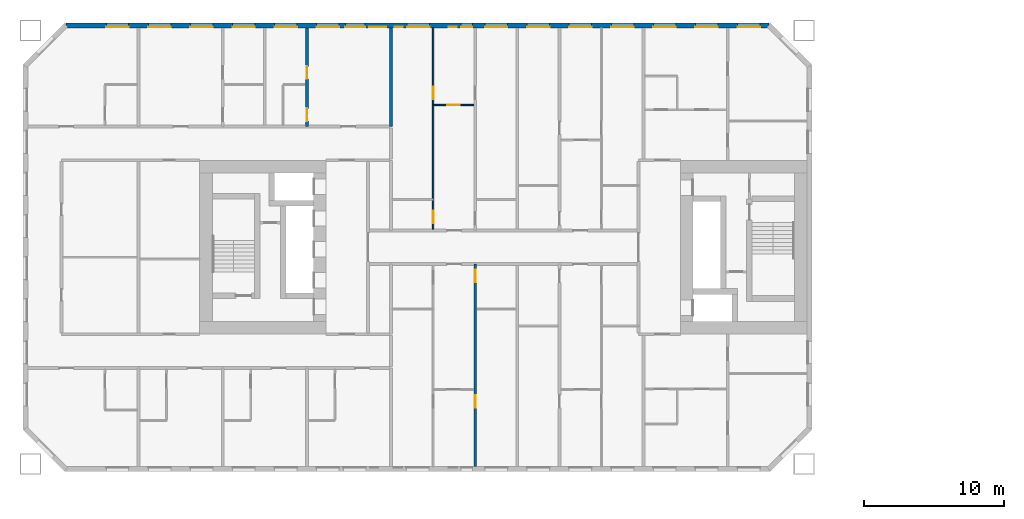
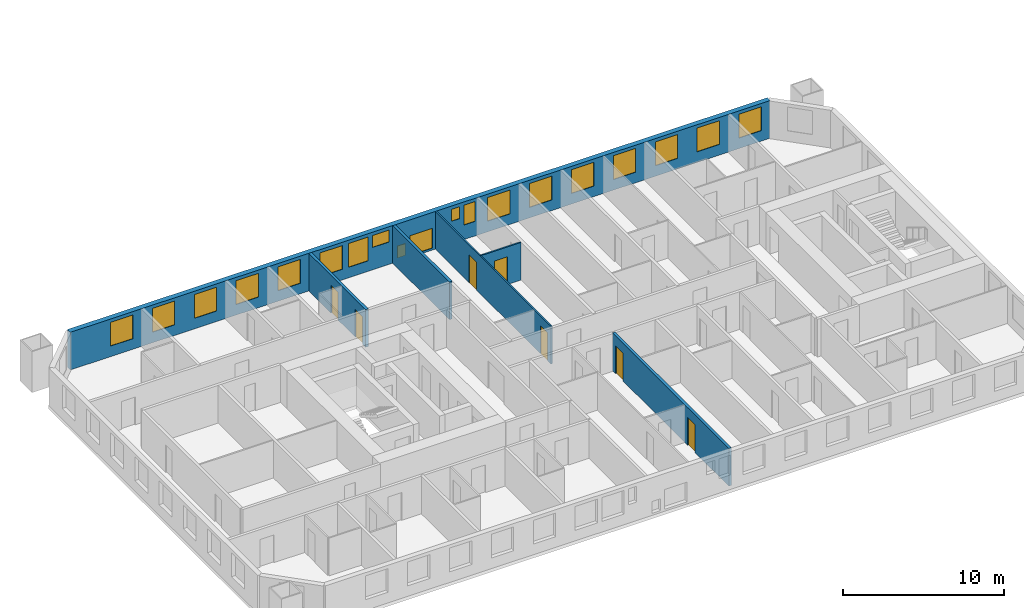
# One storey, part 5 of 16: 19 windows, 7 doors, 6 walls, 26 openings.
"""IFC4 building model written with IfcOpenShell, lengths in metres."""

from ifc_helpers import new_model, si_unit, direction, frame, frame_2d, origin, place, context, subcontext, project, spatial, rectangle, extrude, material, layer, layer_set, type_object, element, fill, save


model = new_model("IFC4")

# Units and contexts
model_context = context("Model", 3, precision=1e-05, world=origin(), true_north=direction((0.0, 1.0)))
body_context = subcontext(model_context, "Body", "Model", "MODEL_VIEW")
ifc_project = project(units=[si_unit("LENGTHUNIT", "METRE"), si_unit("AREAUNIT", "SQUARE_METRE"), si_unit("VOLUMEUNIT", "CUBIC_METRE"), si_unit("PLANEANGLEUNIT", "RADIAN"), si_unit("MASSUNIT", "GRAM", prefix="KILO")], contexts=[model_context])

# Site, building, storey
site_placement = place(None, origin())
site = spatial("IfcSite", under=ifc_project, at=site_placement, CompositionType="ELEMENT")
building_placement = place(site_placement, origin())
building = spatial("IfcBuilding", under=site, at=building_placement, Name="Tuart Gate Housing", CompositionType="ELEMENT")
storey_placement = place(building_placement, frame((0.0, 0.0, 35.0)))
storey = spatial("IfcBuildingStorey", under=building, at=storey_placement, Name="L09", CompositionType="ELEMENT", Elevation=35.0)

# Wall, openings, windows
ifc_material_1 = material(Name="Brick", Category="masonry")
ifc_layer_1 = layer(ifc_material_1, 0.360107421875)
ifc_layer_set_1 = layer_set([ifc_layer_1], Name="Brick pier and spandrel wall 360")
wall_type_1 = type_object("IfcWallType", Name="Brick pier and spandrel wall 360", PredefinedType="STANDARD", material=ifc_layer_set_1)
wall_1_placement = place(storey_placement, frame((72.92529296875, 85.820068359375, 0.0), z_axis=(0.0, 0.0, 1.0), x_axis=(-1.0, 0.0, 0.0)))
wall_1 = element("IfcWall", 1, at=wall_1_placement, inside=storey, type_object=wall_type_1, Name="External wall A-N L09", PredefinedType="STANDARD", context=body_context, shape_type="SweptSolid", body=[
    extrude(rectangle(XDim=50.100830078125, YDim=0.360107421875, at=frame_2d((25.05029296875, 0.0))), origin(), (0.0, 0.0, 1.0), 2.85009765625),
])
opening_1_placement = place(wall_1_placement, frame((0.62548828125, 0.0, 0.800048828125)))
opening_1 = element("IfcOpeningElement", 2, at=opening_1_placement, cuts=wall_1, Name="Opening W1", PredefinedType="OPENING", context=body_context, shape_type="SweptSolid", body=[
    extrude(rectangle(XDim=1.60009765625, YDim=1.800048828125, at=frame_2d((0.800048828125, 0.89990234375))), frame((0.0, 0.18994140625, 0.0), z_axis=(0.0, -1.0, 0.0), x_axis=(1.0, 0.0, 0.0)), (0.0, 0.0, 1.0), 0.380126953125),
])
opening_2_placement = place(wall_1_placement, frame((3.62548828125, 0.0, 0.800048828125)))
opening_2 = element("IfcOpeningElement", 3, at=opening_2_placement, cuts=wall_1, Name="Opening W1", PredefinedType="OPENING", context=body_context, shape_type="SweptSolid", body=[
    extrude(rectangle(XDim=1.60009765625, YDim=1.800048828125, at=frame_2d((0.800048828125, 0.89990234375))), frame((0.0, 0.18994140625, 0.0), z_axis=(0.0, -1.0, 0.0), x_axis=(1.0, 0.0, 0.0)), (0.0, 0.0, 1.0), 0.380126953125),
])
opening_3_placement = place(wall_1_placement, frame((6.62548828125, 0.0, 0.800048828125)))
opening_3 = element("IfcOpeningElement", 4, at=opening_3_placement, cuts=wall_1, Name="Opening W1", PredefinedType="OPENING", context=body_context, shape_type="SweptSolid", body=[
    extrude(rectangle(XDim=1.60009765625, YDim=1.800048828125, at=frame_2d((0.800048828125, 0.89990234375))), frame((0.0, 0.18994140625, 0.0), z_axis=(0.0, -1.0, 0.0), x_axis=(1.0, 0.0, 0.0)), (0.0, 0.0, 1.0), 0.380126953125),
])
opening_4_placement = place(wall_1_placement, frame((9.62548828125, 0.0, 0.800048828125)))
opening_4 = element("IfcOpeningElement", 5, at=opening_4_placement, cuts=wall_1, Name="Opening W1", PredefinedType="OPENING", context=body_context, shape_type="SweptSolid", body=[
    extrude(rectangle(XDim=1.60009765625, YDim=1.800048828125, at=frame_2d((0.800048828125, 0.89990234375))), frame((0.0, 0.18994140625, 0.0), z_axis=(0.0, -1.0, 0.0), x_axis=(1.0, 0.0, 0.0)), (0.0, 0.0, 1.0), 0.380126953125),
])
opening_5_placement = place(wall_1_placement, frame((12.62548828125, 0.0, 0.800048828125)))
opening_5 = element("IfcOpeningElement", 6, at=opening_5_placement, cuts=wall_1, Name="Opening W1", PredefinedType="OPENING", context=body_context, shape_type="SweptSolid", body=[
    extrude(rectangle(XDim=1.60009765625, YDim=1.800048828125, at=frame_2d((0.800048828125, 0.89990234375))), frame((0.0, 0.18994140625, 0.0), z_axis=(0.0, -1.0, 0.0), x_axis=(1.0, 0.0, 0.0)), (0.0, 0.0, 1.0), 0.380126953125),
])
opening_6_placement = place(wall_1_placement, frame((15.62548828125, 0.0, 0.800048828125)))
opening_6 = element("IfcOpeningElement", 7, at=opening_6_placement, cuts=wall_1, Name="Opening W1", PredefinedType="OPENING", context=body_context, shape_type="SweptSolid", body=[
    extrude(rectangle(XDim=1.60009765625, YDim=1.800048828125, at=frame_2d((0.800048828125, 0.89990234375))), frame((0.0, 0.18994140625, 0.0), z_axis=(0.0, -1.0, 0.0), x_axis=(1.0, 0.0, 0.0)), (0.0, 0.0, 1.0), 0.380126953125),
])
opening_7_placement = place(wall_1_placement, frame((18.62548828125, 0.0, 0.800048828125)))
opening_7 = element("IfcOpeningElement", 8, at=opening_7_placement, cuts=wall_1, Name="Opening W1", PredefinedType="OPENING", context=body_context, shape_type="SweptSolid", body=[
    extrude(rectangle(XDim=1.60009765625, YDim=1.800048828125, at=frame_2d((0.800048828125, 0.89990234375))), frame((0.0, 0.18994140625, 0.0), z_axis=(0.0, -1.0, 0.0), x_axis=(1.0, 0.0, 0.0)), (0.0, 0.0, 1.0), 0.380126953125),
])
opening_8_placement = place(wall_1_placement, frame((21.12548828125, 0.0, 1.10009765625)))
opening_8 = element("IfcOpeningElement", 9, at=opening_8_placement, cuts=wall_1, Name="Opening W1J", PredefinedType="OPENING", context=body_context, shape_type="SweptSolid", body=[
    extrude(rectangle(XDim=0.800048828125, YDim=1.5, at=frame_2d((0.39990234375, 0.75))), frame((0.0, 0.18994140625, 0.0), z_axis=(0.0, -1.0, 0.0), x_axis=(1.0, 0.0, 0.0)), (0.0, 0.0, 1.0), 0.380126953125),
])
opening_9_placement = place(wall_1_placement, frame((24.17529296875, 0.0, 0.14990234375)))
opening_9 = element("IfcOpeningElement", 10, at=opening_9_placement, cuts=wall_1, Name="Opening W1F", PredefinedType="OPENING", context=body_context, shape_type="SweptSolid", body=[
    extrude(rectangle(XDim=1.60009765625, YDim=1.5, at=frame_2d((0.800048828125, 0.75))), frame((0.0, 0.18994140625, 0.0), z_axis=(0.0, -1.0, 0.0), x_axis=(1.0, 0.0, 0.0)), (0.0, 0.0, 1.0), 0.380126953125),
])
opening_10_placement = place(wall_1_placement, frame((27.275390625, 0.0, 1.699951171875)))
opening_10 = element("IfcOpeningElement", 11, at=opening_10_placement, cuts=wall_1, Name="Opening W1T", PredefinedType="OPENING", context=body_context, shape_type="SweptSolid", body=[
    extrude(rectangle(XDim=1.199951171875, YDim=0.89990234375, at=frame_2d((0.60009765625, 0.449951171875))), frame((0.0, 0.18994140625, 0.0), z_axis=(0.0, -1.0, 0.0), x_axis=(1.0, 0.0, 0.0)), (0.0, 0.0, 1.0), 0.380126953125),
])
opening_11_placement = place(wall_1_placement, frame((30.62548828125, 0.0, 0.800048828125)))
opening_11 = element("IfcOpeningElement", 12, at=opening_11_placement, cuts=wall_1, Name="Opening W1", PredefinedType="OPENING", context=body_context, shape_type="SweptSolid", body=[
    extrude(rectangle(XDim=1.60009765625, YDim=1.800048828125, at=frame_2d((0.800048828125, 0.89990234375))), frame((0.0, 0.18994140625, 0.0), z_axis=(0.0, -1.0, 0.0), x_axis=(1.0, 0.0, 0.0)), (0.0, 0.0, 1.0), 0.380126953125),
])
opening_12_placement = place(wall_1_placement, frame((33.62548828125, 0.0, 0.800048828125)))
opening_12 = element("IfcOpeningElement", 13, at=opening_12_placement, cuts=wall_1, Name="Opening W1", PredefinedType="OPENING", context=body_context, shape_type="SweptSolid", body=[
    extrude(rectangle(XDim=1.60009765625, YDim=1.800048828125, at=frame_2d((0.800048828125, 0.89990234375))), frame((0.0, 0.18994140625, 0.0), z_axis=(0.0, -1.0, 0.0), x_axis=(1.0, 0.0, 0.0)), (0.0, 0.0, 1.0), 0.380126953125),
])
opening_13_placement = place(wall_1_placement, frame((36.62548828125, 0.0, 0.800048828125)))
opening_13 = element("IfcOpeningElement", 14, at=opening_13_placement, cuts=wall_1, Name="Opening W1", PredefinedType="OPENING", context=body_context, shape_type="SweptSolid", body=[
    extrude(rectangle(XDim=1.60009765625, YDim=1.800048828125, at=frame_2d((0.800048828125, 0.89990234375))), frame((0.0, 0.18994140625, 0.0), z_axis=(0.0, -1.0, 0.0), x_axis=(1.0, 0.0, 0.0)), (0.0, 0.0, 1.0), 0.380126953125),
])
opening_14_placement = place(wall_1_placement, frame((39.62548828125, 0.0, 0.800048828125)))
opening_14 = element("IfcOpeningElement", 15, at=opening_14_placement, cuts=wall_1, Name="Opening W1", PredefinedType="OPENING", context=body_context, shape_type="SweptSolid", body=[
    extrude(rectangle(XDim=1.60009765625, YDim=1.800048828125, at=frame_2d((0.800048828125, 0.89990234375))), frame((0.0, 0.18994140625, 0.0), z_axis=(0.0, -1.0, 0.0), x_axis=(1.0, 0.0, 0.0)), (0.0, 0.0, 1.0), 0.380126953125),
])
opening_15_placement = place(wall_1_placement, frame((42.62548828125, 0.0, 0.800048828125)))
opening_15 = element("IfcOpeningElement", 16, at=opening_15_placement, cuts=wall_1, Name="Opening W1", PredefinedType="OPENING", context=body_context, shape_type="SweptSolid", body=[
    extrude(rectangle(XDim=1.60009765625, YDim=1.800048828125, at=frame_2d((0.800048828125, 0.89990234375))), frame((0.0, 0.18994140625, 0.0), z_axis=(0.0, -1.0, 0.0), x_axis=(1.0, 0.0, 0.0)), (0.0, 0.0, 1.0), 0.380126953125),
])
opening_16_placement = place(wall_1_placement, frame((45.62548828125, 0.0, 0.800048828125)))
opening_16 = element("IfcOpeningElement", 17, at=opening_16_placement, cuts=wall_1, Name="Opening W1", PredefinedType="OPENING", context=body_context, shape_type="SweptSolid", body=[
    extrude(rectangle(XDim=1.60009765625, YDim=1.800048828125, at=frame_2d((0.800048828125, 0.89990234375))), frame((0.0, 0.18994140625, 0.0), z_axis=(0.0, -1.0, 0.0), x_axis=(1.0, 0.0, 0.0)), (0.0, 0.0, 1.0), 0.380126953125),
])
opening_17_placement = place(wall_1_placement, frame((22.225341796875, 0.0, 1.699951171875)))
opening_17 = element("IfcOpeningElement", 18, at=opening_17_placement, cuts=wall_1, Name="Opening W1W", PredefinedType="OPENING", context=body_context, shape_type="SweptSolid", body=[
    extrude(rectangle(XDim=0.60009765625, YDim=0.89990234375, at=frame_2d((0.300048828125, 0.449951171875))), frame((0.0, 0.18994140625, 0.0), z_axis=(0.0, -1.0, 0.0), x_axis=(1.0, 0.0, 0.0)), (0.0, 0.0, 1.0), 0.380126953125),
])
opening_18_placement = place(wall_1_placement, frame((26.075439453125, 0.0, 0.25)))
opening_18 = element("IfcOpeningElement", 19, at=opening_18_placement, cuts=wall_1, Name="Opening W1W", PredefinedType="OPENING", context=body_context, shape_type="SweptSolid", body=[
    extrude(rectangle(XDim=0.60009765625, YDim=0.89990234375, at=frame_2d((0.300048828125, 0.449951171875))), frame((0.0, 0.18994140625, 0.0), z_axis=(0.0, -1.0, 0.0), x_axis=(1.0, 0.0, 0.0)), (0.0, 0.0, 1.0), 0.380126953125),
])
opening_19_placement = place(wall_1_placement, frame((28.775390625, 0.0, 0.800048828125)))
opening_19 = element("IfcOpeningElement", 20, at=opening_19_placement, cuts=wall_1, Name="Opening W1A", PredefinedType="OPENING", context=body_context, shape_type="SweptSolid", body=[
    extrude(rectangle(XDim=1.39990234375, YDim=1.800048828125, at=frame_2d((0.699951171875, 0.89990234375))), frame((0.0, 0.18994140625, 0.0), z_axis=(0.0, -1.0, 0.0), x_axis=(1.0, 0.0, 0.0)), (0.0, 0.0, 1.0), 0.380126953125),
])
ifc_material_2 = material(Name="Aluminium frame with clear glass", Category="aluminium")
window_type_1 = type_object("IfcWindowType", Name="Punched window 1200 x 900", PartitioningType="SINGLE_PANEL", PredefinedType="WINDOW", material=ifc_material_2)
window_1_placement = place(opening_10_placement, origin())
window_1 = element("IfcWindow", 21, at=window_1_placement, inside=storey, type_object=window_type_1, Name="Window W1T", OverallHeight=0.89990234375, OverallWidth=1.199951171875, PartitioningType="SINGLE_PANEL", PredefinedType="WINDOW", context=body_context, shape_type="SweptSolid", body=[
    extrude(rectangle(XDim=1.199951171875, YDim=0.89990234375, at=frame_2d((0.60009765625, 0.449951171875))), frame((0.0, 0.150146484375, 0.0), z_axis=(0.0, -1.0, 0.0), x_axis=(1.0, 0.0, 0.0)), (0.0, 0.0, 1.0), 0.06005859375),
])
fill(opening_10, window_1)
ifc_material_3 = material(Name="Aluminium frame with clear glass", Category="aluminium")
window_type_2 = type_object("IfcWindowType", Name="Punched window 1400 x 1800", PartitioningType="SINGLE_PANEL", PredefinedType="WINDOW", material=ifc_material_3)
window_2_placement = place(opening_19_placement, origin())
window_2 = element("IfcWindow", 22, at=window_2_placement, inside=storey, type_object=window_type_2, Name="Window W1A", OverallHeight=1.800048828125, OverallWidth=1.39990234375, PartitioningType="SINGLE_PANEL", PredefinedType="WINDOW", context=body_context, shape_type="SweptSolid", body=[
    extrude(rectangle(XDim=1.39990234375, YDim=1.800048828125, at=frame_2d((0.699951171875, 0.89990234375))), frame((0.0, 0.150146484375, 0.0), z_axis=(0.0, -1.0, 0.0), x_axis=(1.0, 0.0, 0.0)), (0.0, 0.0, 1.0), 0.06005859375),
])
fill(opening_19, window_2)
ifc_material_4 = material(Name="Aluminium frame with clear glass", Category="aluminium")
window_type_3 = type_object("IfcWindowType", Name="Punched window 1600 x 1500", PartitioningType="SINGLE_PANEL", PredefinedType="WINDOW", material=ifc_material_4)
window_3_placement = place(opening_9_placement, origin())
window_3 = element("IfcWindow", 23, at=window_3_placement, inside=storey, type_object=window_type_3, Name="Window W1F", OverallHeight=1.5, OverallWidth=1.60009765625, PartitioningType="SINGLE_PANEL", PredefinedType="WINDOW", context=body_context, shape_type="SweptSolid", body=[
    extrude(rectangle(XDim=1.60009765625, YDim=1.5, at=frame_2d((0.800048828125, 0.75))), frame((0.0, 0.150146484375, 0.0), z_axis=(0.0, -1.0, 0.0), x_axis=(1.0, 0.0, 0.0)), (0.0, 0.0, 1.0), 0.06005859375),
])
fill(opening_9, window_3)
ifc_material_5 = material(Name="Aluminium frame with clear glass", Category="aluminium")
window_type_4 = type_object("IfcWindowType", Name="Punched window 1600 x 1800", PartitioningType="SINGLE_PANEL", PredefinedType="WINDOW", material=ifc_material_5)
window_4_placement = place(opening_1_placement, origin())
window_4 = element("IfcWindow", 24, at=window_4_placement, inside=storey, type_object=window_type_4, Name="Window W1", OverallHeight=1.800048828125, OverallWidth=1.60009765625, PartitioningType="SINGLE_PANEL", PredefinedType="WINDOW", context=body_context, shape_type="SweptSolid", body=[
    extrude(rectangle(XDim=1.60009765625, YDim=1.800048828125, at=frame_2d((0.800048828125, 0.89990234375))), frame((0.0, 0.150146484375, 0.0), z_axis=(0.0, -1.0, 0.0), x_axis=(1.0, 0.0, 0.0)), (0.0, 0.0, 1.0), 0.06005859375),
])
fill(opening_1, window_4)
window_5_placement = place(opening_2_placement, origin())
window_5 = element("IfcWindow", 25, at=window_5_placement, inside=storey, type_object=window_type_4, Name="Window W1", OverallHeight=1.800048828125, OverallWidth=1.60009765625, PartitioningType="SINGLE_PANEL", PredefinedType="WINDOW", context=body_context, shape_type="SweptSolid", body=[
    extrude(rectangle(XDim=1.60009765625, YDim=1.800048828125, at=frame_2d((0.800048828125, 0.89990234375))), frame((0.0, 0.150146484375, 0.0), z_axis=(0.0, -1.0, 0.0), x_axis=(1.0, 0.0, 0.0)), (0.0, 0.0, 1.0), 0.06005859375),
])
fill(opening_2, window_5)
window_6_placement = place(opening_3_placement, origin())
window_6 = element("IfcWindow", 26, at=window_6_placement, inside=storey, type_object=window_type_4, Name="Window W1", OverallHeight=1.800048828125, OverallWidth=1.60009765625, PartitioningType="SINGLE_PANEL", PredefinedType="WINDOW", context=body_context, shape_type="SweptSolid", body=[
    extrude(rectangle(XDim=1.60009765625, YDim=1.800048828125, at=frame_2d((0.800048828125, 0.89990234375))), frame((0.0, 0.150146484375, 0.0), z_axis=(0.0, -1.0, 0.0), x_axis=(1.0, 0.0, 0.0)), (0.0, 0.0, 1.0), 0.06005859375),
])
fill(opening_3, window_6)
window_7_placement = place(opening_4_placement, origin())
window_7 = element("IfcWindow", 27, at=window_7_placement, inside=storey, type_object=window_type_4, Name="Window W1", OverallHeight=1.800048828125, OverallWidth=1.60009765625, PartitioningType="SINGLE_PANEL", PredefinedType="WINDOW", context=body_context, shape_type="SweptSolid", body=[
    extrude(rectangle(XDim=1.60009765625, YDim=1.800048828125, at=frame_2d((0.800048828125, 0.89990234375))), frame((0.0, 0.150146484375, 0.0), z_axis=(0.0, -1.0, 0.0), x_axis=(1.0, 0.0, 0.0)), (0.0, 0.0, 1.0), 0.06005859375),
])
fill(opening_4, window_7)
window_8_placement = place(opening_5_placement, origin())
window_8 = element("IfcWindow", 28, at=window_8_placement, inside=storey, type_object=window_type_4, Name="Window W1", OverallHeight=1.800048828125, OverallWidth=1.60009765625, PartitioningType="SINGLE_PANEL", PredefinedType="WINDOW", context=body_context, shape_type="SweptSolid", body=[
    extrude(rectangle(XDim=1.60009765625, YDim=1.800048828125, at=frame_2d((0.800048828125, 0.89990234375))), frame((0.0, 0.150146484375, 0.0), z_axis=(0.0, -1.0, 0.0), x_axis=(1.0, 0.0, 0.0)), (0.0, 0.0, 1.0), 0.06005859375),
])
fill(opening_5, window_8)
window_9_placement = place(opening_6_placement, origin())
window_9 = element("IfcWindow", 29, at=window_9_placement, inside=storey, type_object=window_type_4, Name="Window W1", OverallHeight=1.800048828125, OverallWidth=1.60009765625, PartitioningType="SINGLE_PANEL", PredefinedType="WINDOW", context=body_context, shape_type="SweptSolid", body=[
    extrude(rectangle(XDim=1.60009765625, YDim=1.800048828125, at=frame_2d((0.800048828125, 0.89990234375))), frame((0.0, 0.150146484375, 0.0), z_axis=(0.0, -1.0, 0.0), x_axis=(1.0, 0.0, 0.0)), (0.0, 0.0, 1.0), 0.06005859375),
])
fill(opening_6, window_9)
window_10_placement = place(opening_7_placement, origin())
window_10 = element("IfcWindow", 30, at=window_10_placement, inside=storey, type_object=window_type_4, Name="Window W1", OverallHeight=1.800048828125, OverallWidth=1.60009765625, PartitioningType="SINGLE_PANEL", PredefinedType="WINDOW", context=body_context, shape_type="SweptSolid", body=[
    extrude(rectangle(XDim=1.60009765625, YDim=1.800048828125, at=frame_2d((0.800048828125, 0.89990234375))), frame((0.0, 0.150146484375, 0.0), z_axis=(0.0, -1.0, 0.0), x_axis=(1.0, 0.0, 0.0)), (0.0, 0.0, 1.0), 0.06005859375),
])
fill(opening_7, window_10)
window_11_placement = place(opening_11_placement, origin())
window_11 = element("IfcWindow", 31, at=window_11_placement, inside=storey, type_object=window_type_4, Name="Window W1", OverallHeight=1.800048828125, OverallWidth=1.60009765625, PartitioningType="SINGLE_PANEL", PredefinedType="WINDOW", context=body_context, shape_type="SweptSolid", body=[
    extrude(rectangle(XDim=1.60009765625, YDim=1.800048828125, at=frame_2d((0.800048828125, 0.89990234375))), frame((0.0, 0.150146484375, 0.0), z_axis=(0.0, -1.0, 0.0), x_axis=(1.0, 0.0, 0.0)), (0.0, 0.0, 1.0), 0.06005859375),
])
fill(opening_11, window_11)
window_12_placement = place(opening_12_placement, origin())
window_12 = element("IfcWindow", 32, at=window_12_placement, inside=storey, type_object=window_type_4, Name="Window W1", OverallHeight=1.800048828125, OverallWidth=1.60009765625, PartitioningType="SINGLE_PANEL", PredefinedType="WINDOW", context=body_context, shape_type="SweptSolid", body=[
    extrude(rectangle(XDim=1.60009765625, YDim=1.800048828125, at=frame_2d((0.800048828125, 0.89990234375))), frame((0.0, 0.150146484375, 0.0), z_axis=(0.0, -1.0, 0.0), x_axis=(1.0, 0.0, 0.0)), (0.0, 0.0, 1.0), 0.06005859375),
])
fill(opening_12, window_12)
window_13_placement = place(opening_13_placement, origin())
window_13 = element("IfcWindow", 33, at=window_13_placement, inside=storey, type_object=window_type_4, Name="Window W1", OverallHeight=1.800048828125, OverallWidth=1.60009765625, PartitioningType="SINGLE_PANEL", PredefinedType="WINDOW", context=body_context, shape_type="SweptSolid", body=[
    extrude(rectangle(XDim=1.60009765625, YDim=1.800048828125, at=frame_2d((0.800048828125, 0.89990234375))), frame((0.0, 0.150146484375, 0.0), z_axis=(0.0, -1.0, 0.0), x_axis=(1.0, 0.0, 0.0)), (0.0, 0.0, 1.0), 0.06005859375),
])
fill(opening_13, window_13)
window_14_placement = place(opening_14_placement, origin())
window_14 = element("IfcWindow", 34, at=window_14_placement, inside=storey, type_object=window_type_4, Name="Window W1", OverallHeight=1.800048828125, OverallWidth=1.60009765625, PartitioningType="SINGLE_PANEL", PredefinedType="WINDOW", context=body_context, shape_type="SweptSolid", body=[
    extrude(rectangle(XDim=1.60009765625, YDim=1.800048828125, at=frame_2d((0.800048828125, 0.89990234375))), frame((0.0, 0.150146484375, 0.0), z_axis=(0.0, -1.0, 0.0), x_axis=(1.0, 0.0, 0.0)), (0.0, 0.0, 1.0), 0.06005859375),
])
fill(opening_14, window_14)
window_15_placement = place(opening_15_placement, origin())
window_15 = element("IfcWindow", 35, at=window_15_placement, inside=storey, type_object=window_type_4, Name="Window W1", OverallHeight=1.800048828125, OverallWidth=1.60009765625, PartitioningType="SINGLE_PANEL", PredefinedType="WINDOW", context=body_context, shape_type="SweptSolid", body=[
    extrude(rectangle(XDim=1.60009765625, YDim=1.800048828125, at=frame_2d((0.800048828125, 0.89990234375))), frame((0.0, 0.150146484375, 0.0), z_axis=(0.0, -1.0, 0.0), x_axis=(1.0, 0.0, 0.0)), (0.0, 0.0, 1.0), 0.06005859375),
])
fill(opening_15, window_15)
window_16_placement = place(opening_16_placement, origin())
window_16 = element("IfcWindow", 36, at=window_16_placement, inside=storey, type_object=window_type_4, Name="Window W1", OverallHeight=1.800048828125, OverallWidth=1.60009765625, PartitioningType="SINGLE_PANEL", PredefinedType="WINDOW", context=body_context, shape_type="SweptSolid", body=[
    extrude(rectangle(XDim=1.60009765625, YDim=1.800048828125, at=frame_2d((0.800048828125, 0.89990234375))), frame((0.0, 0.150146484375, 0.0), z_axis=(0.0, -1.0, 0.0), x_axis=(1.0, 0.0, 0.0)), (0.0, 0.0, 1.0), 0.06005859375),
])
fill(opening_16, window_16)
ifc_material_6 = material(Name="Aluminium frame with clear glass", Category="aluminium")
window_type_5 = type_object("IfcWindowType", Name="Punched window 600 x 900", PartitioningType="SINGLE_PANEL", PredefinedType="WINDOW", material=ifc_material_6)
window_17_placement = place(opening_17_placement, origin())
window_17 = element("IfcWindow", 37, at=window_17_placement, inside=storey, type_object=window_type_5, Name="Window W1W", OverallHeight=0.89990234375, OverallWidth=0.60009765625, PartitioningType="SINGLE_PANEL", PredefinedType="WINDOW", context=body_context, shape_type="SweptSolid", body=[
    extrude(rectangle(XDim=0.60009765625, YDim=0.89990234375, at=frame_2d((0.300048828125, 0.449951171875))), frame((0.0, 0.150146484375, 0.0), z_axis=(0.0, -1.0, 0.0), x_axis=(1.0, 0.0, 0.0)), (0.0, 0.0, 1.0), 0.06005859375),
])
fill(opening_17, window_17)
window_18_placement = place(opening_18_placement, origin())
window_18 = element("IfcWindow", 38, at=window_18_placement, inside=storey, type_object=window_type_5, Name="Window W1W", OverallHeight=0.89990234375, OverallWidth=0.60009765625, PartitioningType="SINGLE_PANEL", PredefinedType="WINDOW", context=body_context, shape_type="SweptSolid", body=[
    extrude(rectangle(XDim=0.60009765625, YDim=0.89990234375, at=frame_2d((0.300048828125, 0.449951171875))), frame((0.0, 0.150146484375, 0.0), z_axis=(0.0, -1.0, 0.0), x_axis=(1.0, 0.0, 0.0)), (0.0, 0.0, 1.0), 0.06005859375),
])
fill(opening_18, window_18)
ifc_material_7 = material(Name="Aluminium frame with clear glass", Category="aluminium")
window_type_6 = type_object("IfcWindowType", Name="Punched window 800 x 1500", PartitioningType="SINGLE_PANEL", PredefinedType="WINDOW", material=ifc_material_7)
window_19_placement = place(opening_8_placement, origin())
window_19 = element("IfcWindow", 39, at=window_19_placement, inside=storey, type_object=window_type_6, Name="Window W1J", OverallHeight=1.5, OverallWidth=0.800048828125, PartitioningType="SINGLE_PANEL", PredefinedType="WINDOW", context=body_context, shape_type="SweptSolid", body=[
    extrude(rectangle(XDim=0.800048828125, YDim=1.5, at=frame_2d((0.39990234375, 0.75))), frame((0.0, 0.150146484375, 0.0), z_axis=(0.0, -1.0, 0.0), x_axis=(1.0, 0.0, 0.0)), (0.0, 0.0, 1.0), 0.06005859375),
])
fill(opening_8, window_19)

# Wall, opening, door
ifc_material_8 = material(Name="Gypsum board on steel studs", Category="steel")
ifc_layer_2 = layer(ifc_material_8, 0.10009765625)
ifc_layer_set_2 = layer_set([ifc_layer_2], Name="Partition 100")
wall_type_2 = type_object("IfcWallType", Name="Partition 100", PredefinedType="PARTITIONING", material=ifc_layer_set_2)
wall_2_placement = place(storey_placement, frame((49.0, 80.139892578125, 0.0), z_axis=(0.0, 0.0, 1.0), x_axis=(1.0, 0.0, 0.0)))
wall_2 = element("IfcWall", 40, at=wall_2_placement, inside=storey, type_object=wall_type_2, Name="Partition 100", PredefinedType="PARTITIONING", context=body_context, shape_type="SweptSolid", body=[
    extrude(rectangle(XDim=2.89990234375, YDim=0.10009765625, at=frame_2d((1.449951171875, 0.0))), origin(), (0.0, 0.0, 1.0), 2.85009765625),
])
opening_20_placement = place(wall_2_placement, frame((1.0, 0.0, 0.0)))
opening_20 = element("IfcOpeningElement", 41, at=opening_20_placement, cuts=wall_2, Name="Opening D473", PredefinedType="OPENING", context=body_context, shape_type="SweptSolid", body=[
    extrude(rectangle(XDim=0.89990234375, YDim=2.10009765625, at=frame_2d((0.449951171875, 1.050048828125))), frame((0.0, 0.06005859375, 0.0), z_axis=(0.0, -1.0, 0.0), x_axis=(1.0, 0.0, 0.0)), (0.0, 0.0, 1.0), 0.1201171875),
])
ifc_material_9 = material(Name="Timber door leaf in steel frame", Category="steel")
door_type_1 = type_object("IfcDoorType", Name="Internal door 900 RH", OperationType="SINGLE_SWING_RIGHT", PredefinedType="DOOR", material=ifc_material_9)
door_1_placement = place(opening_20_placement, frame((0.89990234375, 0.0, 0.0), z_axis=(0.0, 0.0, 1.0), x_axis=(-1.0, 0.0, 0.0)))
door_1 = element("IfcDoor", 42, at=door_1_placement, inside=storey, type_object=door_type_1, Name="Internal door", OperationType="SINGLE_SWING_RIGHT", OverallHeight=2.10009765625, OverallWidth=0.89990234375, PredefinedType="DOOR", context=body_context, shape_type="SweptSolid", body=[
    extrude(rectangle(XDim=0.89990234375, YDim=2.10009765625, at=frame_2d((0.449951171875, 1.050048828125))), frame((0.0, 0.025146484375, 0.0), z_axis=(0.0, -1.0, 0.0), x_axis=(1.0, 0.0, 0.0)), (0.0, 0.0, 1.0), 0.050048828125),
])
fill(opening_20, door_1)

# Wall, openings, doors
wall_3_placement = place(storey_placement, frame((49.0, 71.300048828125, 0.0), z_axis=(0.0, 0.0, 1.0), x_axis=(0.0, 1.0, 0.0)))
wall_3 = element("IfcWall", 43, at=wall_3_placement, inside=storey, type_object=wall_type_2, Name="Partition 100", PredefinedType="PARTITIONING", context=body_context, shape_type="SweptSolid", body=[
    extrude(rectangle(XDim=14.33984375, YDim=0.10009765625, at=frame_2d((7.169921875, 0.0))), origin(), (0.0, 0.0, 1.0), 2.85009765625),
])
opening_21_placement = place(wall_3_placement, frame((9.239990234375, 0.0, 0.0)))
opening_21 = element("IfcOpeningElement", 44, at=opening_21_placement, cuts=wall_3, Name="Opening D481", PredefinedType="OPENING", context=body_context, shape_type="SweptSolid", body=[
    extrude(rectangle(XDim=0.89990234375, YDim=2.10009765625, at=frame_2d((0.449951171875, 1.050048828125))), frame((0.0, 0.06005859375, 0.0), z_axis=(0.0, -1.0, 0.0), x_axis=(1.0, 0.0, 0.0)), (0.0, 0.0, 1.0), 0.1201171875),
])
opening_22_placement = place(wall_3_placement, frame((0.39990234375, 0.0, 0.0)))
opening_22 = element("IfcOpeningElement", 45, at=opening_22_placement, cuts=wall_3, Name="Opening D480", PredefinedType="OPENING", context=body_context, shape_type="SweptSolid", body=[
    extrude(rectangle(XDim=0.89990234375, YDim=2.10009765625, at=frame_2d((0.449951171875, 1.050048828125))), frame((0.0, 0.06005859375, 0.0), z_axis=(0.0, -1.0, 0.0), x_axis=(1.0, 0.0, 0.0)), (0.0, 0.0, 1.0), 0.1201171875),
])
ifc_material_10 = material(Name="Timber door leaf in steel frame", Category="steel")
door_type_2 = type_object("IfcDoorType", Name="Bathroom door 900", OperationType="SINGLE_SWING_LEFT", PredefinedType="DOOR", material=ifc_material_10)
door_2_placement = place(opening_22_placement, origin())
door_2 = element("IfcDoor", 46, at=door_2_placement, inside=storey, type_object=door_type_2, Name="Bathroom door", OperationType="SINGLE_SWING_LEFT", OverallHeight=2.10009765625, OverallWidth=0.89990234375, PredefinedType="DOOR", context=body_context, shape_type="SweptSolid", body=[
    extrude(rectangle(XDim=0.89990234375, YDim=2.10009765625, at=frame_2d((0.449951171875, 1.050048828125))), frame((0.0, 0.02490234375, 0.0), z_axis=(0.0, -1.0, 0.0), x_axis=(1.0, 0.0, 0.0)), (0.0, 0.0, 1.0), 0.050048828125),
])
fill(opening_22, door_2)
door_3_placement = place(opening_21_placement, origin())
door_3 = element("IfcDoor", 47, at=door_3_placement, inside=storey, type_object=door_type_1, Name="Internal door", OperationType="SINGLE_SWING_RIGHT", OverallHeight=2.10009765625, OverallWidth=0.89990234375, PredefinedType="DOOR", context=body_context, shape_type="SweptSolid", body=[
    extrude(rectangle(XDim=0.89990234375, YDim=2.10009765625, at=frame_2d((0.449951171875, 1.050048828125))), frame((0.0, 0.02490234375, 0.0), z_axis=(0.0, -1.0, 0.0), x_axis=(1.0, 0.0, 0.0)), (0.0, 0.0, 1.0), 0.050048828125),
])
fill(opening_21, door_3)

ifc_material_11 = material(Name="Concrete C40", Category="concrete")
ifc_layer_3 = layer(ifc_material_11, 0.199951171875)
ifc_layer_set_3 = layer_set([ifc_layer_3], Name="Party wall concrete C40 200")
wall_type_3 = type_object("IfcWallType", Name="Party wall concrete C40 200", PredefinedType="SOLIDWALL", material=ifc_layer_set_3)
wall_4_placement = place(storey_placement, frame((40.0, 78.60009765625, 0.0), z_axis=(0.0, 0.0, 1.0), x_axis=(0.0, 1.0, 0.0)))
wall_4 = element("IfcWall", 48, at=wall_4_placement, inside=storey, type_object=wall_type_3, Name="Party wall concrete C40 200", PredefinedType="SOLIDWALL", context=body_context, shape_type="SweptSolid", body=[
    extrude(rectangle(XDim=7.039794921875, YDim=0.199951171875, at=frame_2d((3.52001953125, 0.0))), origin(), (0.0, 0.0, 1.0), 2.85009765625),
])
opening_23_placement = place(wall_4_placement, frame((3.39990234375, 0.0, 0.0)))
opening_23 = element("IfcOpeningElement", 49, at=opening_23_placement, cuts=wall_4, Name="Opening D470", PredefinedType="OPENING", context=body_context, shape_type="SweptSolid", body=[
    extrude(rectangle(XDim=0.89990234375, YDim=2.10009765625, at=frame_2d((0.449951171875, 1.050048828125))), frame((0.0, 0.10986328125, 0.0), z_axis=(0.0, -1.0, 0.0), x_axis=(1.0, 0.0, 0.0)), (0.0, 0.0, 1.0), 0.219970703125),
])
opening_24_placement = place(wall_4_placement, frame((0.39990234375, 0.0, 0.0)))
opening_24 = element("IfcOpeningElement", 50, at=opening_24_placement, cuts=wall_4, Name="Opening D469", PredefinedType="OPENING", context=body_context, shape_type="SweptSolid", body=[
    extrude(rectangle(XDim=0.89990234375, YDim=2.10009765625, at=frame_2d((0.449951171875, 1.050048828125))), frame((0.0, 0.10986328125, 0.0), z_axis=(0.0, -1.0, 0.0), x_axis=(1.0, 0.0, 0.0)), (0.0, 0.0, 1.0), 0.219970703125),
])
door_4_placement = place(opening_24_placement, origin())
door_4 = element("IfcDoor", 51, at=door_4_placement, inside=storey, type_object=door_type_2, Name="Bathroom door", OperationType="SINGLE_SWING_LEFT", OverallHeight=2.10009765625, OverallWidth=0.89990234375, PredefinedType="DOOR", context=body_context, shape_type="SweptSolid", body=[
    extrude(rectangle(XDim=0.89990234375, YDim=2.10009765625, at=frame_2d((0.449951171875, 1.050048828125))), frame((0.0, 0.02490234375, 0.0), z_axis=(0.0, -1.0, 0.0), x_axis=(1.0, 0.0, 0.0)), (0.0, 0.0, 1.0), 0.050048828125),
])
fill(opening_24, door_4)
ifc_material_12 = material(Name="Timber door leaf in steel frame", Category="steel")
door_type_3 = type_object("IfcDoorType", Name="Internal door 900", OperationType="SINGLE_SWING_LEFT", PredefinedType="DOOR", material=ifc_material_12)
door_5_placement = place(opening_23_placement, origin())
door_5 = element("IfcDoor", 52, at=door_5_placement, inside=storey, type_object=door_type_3, Name="Internal door", OperationType="SINGLE_SWING_LEFT", OverallHeight=2.10009765625, OverallWidth=0.89990234375, PredefinedType="DOOR", context=body_context, shape_type="SweptSolid", body=[
    extrude(rectangle(XDim=0.89990234375, YDim=2.10009765625, at=frame_2d((0.449951171875, 1.050048828125))), frame((0.0, 0.02490234375, 0.0), z_axis=(0.0, -1.0, 0.0), x_axis=(1.0, 0.0, 0.0)), (0.0, 0.0, 1.0), 0.050048828125),
])
fill(opening_23, door_5)

# Wall
wall_5_placement = place(storey_placement, frame((46.0, 78.60009765625, 0.0), z_axis=(0.0, 0.0, 1.0), x_axis=(0.0, 1.0, 0.0)))
element("IfcWall", 53, at=wall_5_placement, inside=storey, type_object=wall_type_3, Name="Party wall concrete C40 200", PredefinedType="SOLIDWALL", context=body_context, shape_type="SweptSolid", body=[
    extrude(rectangle(XDim=7.039794921875, YDim=0.199951171875, at=frame_2d((3.52001953125, 0.0))), origin(), (0.0, 0.0, 1.0), 2.85009765625),
])

# Wall, openings, doors
wall_6_placement = place(storey_placement, frame((52.0, 54.360107421875, 0.0), z_axis=(0.0, 0.0, 1.0), x_axis=(0.0, 1.0, 0.0)))
wall_6 = element("IfcWall", 54, at=wall_6_placement, inside=storey, type_object=wall_type_3, Name="Party wall concrete C40 200", PredefinedType="SOLIDWALL", context=body_context, shape_type="SweptSolid", body=[
    extrude(rectangle(XDim=14.43994140625, YDim=0.199951171875, at=frame_2d((7.219970703125, 0.0))), origin(), (0.0, 0.0, 1.0), 2.85009765625),
])
opening_25_placement = place(wall_6_placement, frame((4.199951171875, 0.0, 0.0)))
opening_25 = element("IfcOpeningElement", 55, at=opening_25_placement, cuts=wall_6, Name="Opening D511", PredefinedType="OPENING", context=body_context, shape_type="SweptSolid", body=[
    extrude(rectangle(XDim=0.89990234375, YDim=2.10009765625, at=frame_2d((0.449951171875, 1.050048828125))), frame((0.0, 0.10986328125, 0.0), z_axis=(0.0, -1.0, 0.0), x_axis=(1.0, 0.0, 0.0)), (0.0, 0.0, 1.0), 0.219970703125),
])
opening_26_placement = place(wall_6_placement, frame((13.139892578125, 0.0, 0.0)))
opening_26 = element("IfcOpeningElement", 56, at=opening_26_placement, cuts=wall_6, Name="Opening D510", PredefinedType="OPENING", context=body_context, shape_type="SweptSolid", body=[
    extrude(rectangle(XDim=0.89990234375, YDim=2.10009765625, at=frame_2d((0.449951171875, 1.050048828125))), frame((0.0, 0.10986328125, 0.0), z_axis=(0.0, -1.0, 0.0), x_axis=(1.0, 0.0, 0.0)), (0.0, 0.0, 1.0), 0.219970703125),
])
door_6_placement = place(opening_26_placement, frame((0.89990234375, 0.0, 0.0), z_axis=(0.0, 0.0, 1.0), x_axis=(-1.0, 0.0, 0.0)))
door_6 = element("IfcDoor", 57, at=door_6_placement, inside=storey, type_object=door_type_2, Name="Bathroom door", OperationType="SINGLE_SWING_LEFT", OverallHeight=2.10009765625, OverallWidth=0.89990234375, PredefinedType="DOOR", context=body_context, shape_type="SweptSolid", body=[
    extrude(rectangle(XDim=0.89990234375, YDim=2.10009765625, at=frame_2d((0.449951171875, 1.050048828125))), frame((0.0, 0.025146484375, 0.0), z_axis=(0.0, -1.0, 0.0), x_axis=(1.0, 0.0, 0.0)), (0.0, 0.0, 1.0), 0.050048828125),
])
fill(opening_26, door_6)
door_7_placement = place(opening_25_placement, frame((0.89990234375, 0.0, 0.0), z_axis=(0.0, 0.0, 1.0), x_axis=(-1.0, 0.0, 0.0)))
door_7 = element("IfcDoor", 58, at=door_7_placement, inside=storey, type_object=door_type_1, Name="Internal door", OperationType="SINGLE_SWING_RIGHT", OverallHeight=2.10009765625, OverallWidth=0.89990234375, PredefinedType="DOOR", context=body_context, shape_type="SweptSolid", body=[
    extrude(rectangle(XDim=0.89990234375, YDim=2.10009765625, at=frame_2d((0.449951171875, 1.050048828125))), frame((0.0, 0.025146484375, 0.0), z_axis=(0.0, -1.0, 0.0), x_axis=(1.0, 0.0, 0.0)), (0.0, 0.0, 1.0), 0.050048828125),
])
fill(opening_25, door_7)

save(model, "model.ifc")
